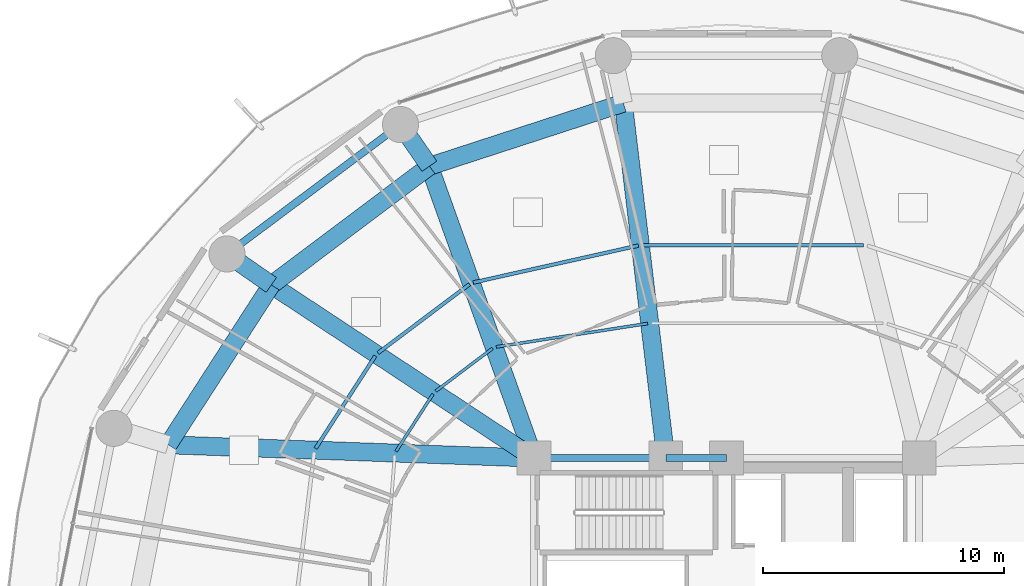
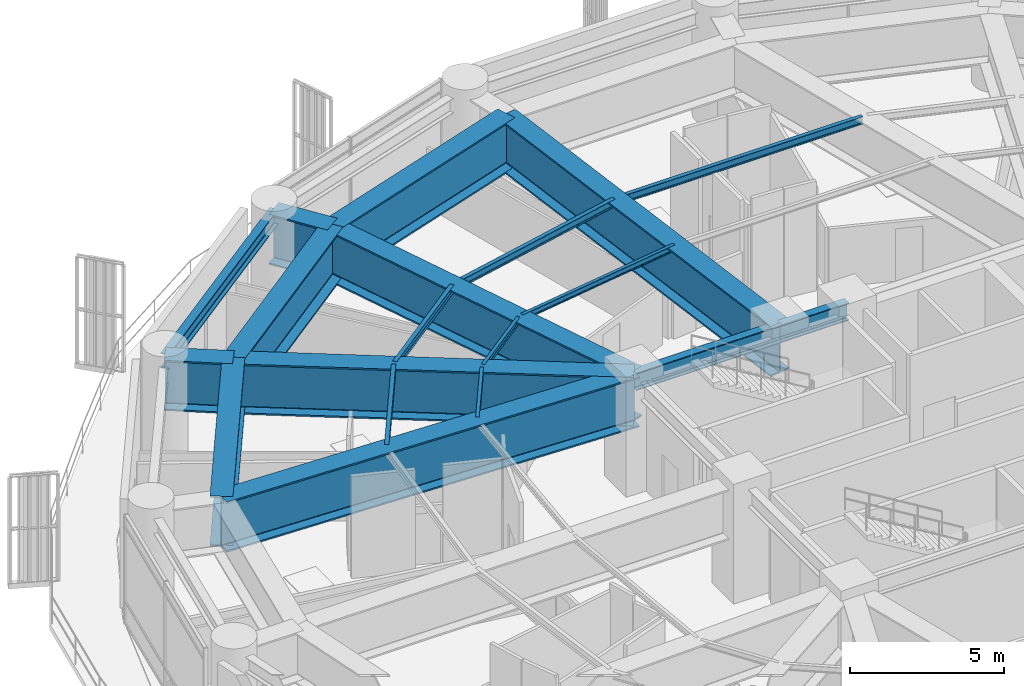
# One storey, part 15 of 31: 19 beams.
"""IFC4 building model written with IfcOpenShell, lengths in metres."""

from ifc_helpers import new_model, si_unit, direction, frame, origin, origin_2d, place, context, subcontext, project, spatial, i_section, extrude, material, material_profile, profile_set, type_object, element, save


model = new_model("IFC4")

# Units and contexts
model_context = context("Model", 3, precision=1e-05, world=origin(), true_north=direction((0.0, 1.0)))
body_context = subcontext(model_context, "Body", "Model", "MODEL_VIEW")
ifc_project = project(units=[si_unit("LENGTHUNIT", "METRE"), si_unit("AREAUNIT", "SQUARE_METRE"), si_unit("VOLUMEUNIT", "CUBIC_METRE"), si_unit("PLANEANGLEUNIT", "RADIAN"), si_unit("MASSUNIT", "GRAM", prefix="KILO")], contexts=[model_context])

# Site, building, storey
site_placement = place(None, origin())
site = spatial("IfcSite", under=ifc_project, at=site_placement, CompositionType="ELEMENT")
building_placement = place(site_placement, origin())
building = spatial("IfcBuilding", under=site, at=building_placement, Name="Kelanora Arch Commons", CompositionType="ELEMENT")
storey_placement = place(building_placement, frame((0.0, 0.0, 67.5)))
storey = spatial("IfcBuildingStorey", under=building, at=storey_placement, Name="L17", CompositionType="ELEMENT", Elevation=67.5)

# Beams
ifc_material = material(Name="Steel S355", Category="steel")
ifc_material_profile_1 = material_profile(ifc_material, i_section(OverallWidth=0.300048828125, OverallDepth=0.699951171875, WebThickness=0.01708984375, FlangeThickness=0.031982421875, FilletRadius=0.027099609375, at=origin_2d()), Name="HEB700")
ifc_profile_set_1 = profile_set([ifc_material_profile_1], Name="Steel S355")
beam_type_1 = type_object("IfcBeamType", Name="BM-CORE-HDR", PredefinedType="BEAM", material=ifc_profile_set_1)
beam_1_placement = place(storey_placement, frame((74.0, 65.0, 4.010009765625), z_axis=(-1.0, 0.0, 0.0), x_axis=(0.0, -1.0, 0.0)))
element("IfcBeam", 1, at=beam_1_placement, inside=storey, type_object=beam_type_1, Name="Core Header Beam 06 L17", PredefinedType="BEAM", context=body_context, shape_type="SweptSolid", body=[
    extrude(i_section(OverallWidth=0.300048828125, OverallDepth=0.699951171875, WebThickness=0.01708984375, FlangeThickness=0.031982421875, FilletRadius=0.027099609375, at=origin_2d()), origin(), (0.0, 0.0, 1.0), 2.52001953125),
])
beam_2_placement = place(storey_placement, frame((71.47998046875, 65.0, 4.010009765625), z_axis=(-1.0, 0.0, 0.0), x_axis=(0.0, -1.0, 0.0)))
element("IfcBeam", 2, at=beam_2_placement, inside=storey, type_object=beam_type_1, Name="Core Header Beam 07 L17", PredefinedType="BEAM", context=body_context, shape_type="SweptSolid", body=[
    extrude(i_section(OverallWidth=0.300048828125, OverallDepth=0.699951171875, WebThickness=0.01708984375, FlangeThickness=0.031982421875, FilletRadius=0.027099609375, at=origin_2d()), origin(), (0.0, 0.0, 1.0), 5.47998046875),
])
ifc_material_profile_2 = material_profile(ifc_material, i_section(OverallWidth=0.14990234375, OverallDepth=0.300048828125, WebThickness=0.007080078125, FlangeThickness=0.0107421875, FilletRadius=0.014892578125, at=origin_2d()), Name="IPE300")
ifc_profile_set_2 = profile_set([ifc_material_profile_2], Name="Steel S355")
beam_type_2 = type_object("IfcBeamType", Name="BM-JST-01", PredefinedType="JOIST", material=ifc_profile_set_2)
beam_3_placement = place(storey_placement, frame((79.686279296875, 73.8466796875, 4.2099609375), z_axis=(-1.0, 0.0, 0.0), x_axis=(0.0, -1.0, 0.0)))
element("IfcBeam", 3, at=beam_3_placement, inside=storey, type_object=beam_type_2, Name="Secondary Chord Joist BJB-08 L17", PredefinedType="JOIST", context=body_context, shape_type="SweptSolid", body=[
    extrude(i_section(OverallWidth=0.14990234375, OverallDepth=0.300048828125, WebThickness=0.007080078125, FlangeThickness=0.0107421875, FilletRadius=0.014892578125, at=origin_2d()), origin(), (0.0, 0.0, 1.0), 9.1806640625),
])
beam_4_placement = place(storey_placement, frame((70.337646484375, 73.828125, 4.2099609375), z_axis=(-0.975817048791, -0.218588854449, 0.0), x_axis=(0.218588854449, -0.975817048791, 0.0)))
element("IfcBeam", 4, at=beam_4_placement, inside=storey, type_object=beam_type_2, Name="Secondary Chord Joist BJB-10 L17", PredefinedType="JOIST", context=body_context, shape_type="SweptSolid", body=[
    extrude(i_section(OverallWidth=0.14990234375, OverallDepth=0.300048828125, WebThickness=0.007080078125, FlangeThickness=0.0107421875, FilletRadius=0.014892578125, at=origin_2d()), origin(), (0.0, 0.0, 1.0), 7.028564453125),
])
beam_5_placement = place(storey_placement, frame((63.327880859375, 72.22216796875, 4.2099609375), z_axis=(-0.79971039107, -0.600385951214, 0.0), x_axis=(0.600385951214, -0.79971039107, 0.0)))
element("IfcBeam", 5, at=beam_5_placement, inside=storey, type_object=beam_type_2, Name="Secondary Chord Joist BJB-12 L17", PredefinedType="JOIST", context=body_context, shape_type="SweptSolid", body=[
    extrude(i_section(OverallWidth=0.14990234375, OverallDepth=0.300048828125, WebThickness=0.007080078125, FlangeThickness=0.0107421875, FilletRadius=0.014892578125, at=origin_2d()), origin(), (0.0, 0.0, 1.0), 4.756103515625),
])
beam_6_placement = place(storey_placement, frame((59.410400390625, 69.244384765625, 4.2099609375), z_axis=(-0.542230243286, -0.840229946661, 0.0), x_axis=(0.840229946661, -0.542230243286, 0.0)))
element("IfcBeam", 6, at=beam_6_placement, inside=storey, type_object=beam_type_2, Name="Secondary Chord Joist BJB-14 L17", PredefinedType="JOIST", context=body_context, shape_type="SweptSolid", body=[
    extrude(i_section(OverallWidth=0.14990234375, OverallDepth=0.300048828125, WebThickness=0.007080078125, FlangeThickness=0.0107421875, FilletRadius=0.014892578125, at=origin_2d()), origin(), (0.0, 0.0, 1.0), 4.572265625),
])
ifc_material_profile_3 = material_profile(ifc_material, i_section(OverallWidth=0.1201171875, OverallDepth=0.239990234375, WebThickness=0.006103515625, FlangeThickness=0.009765625, FilletRadius=0.014892578125, at=origin_2d()), Name="IPE240")
ifc_profile_set_3 = profile_set([ifc_material_profile_3], Name="Steel S355")
beam_type_3 = type_object("IfcBeamType", Name="BM-JST-02", PredefinedType="JOIST", material=ifc_profile_set_3)
beam_7_placement = place(storey_placement, frame((70.72509765625, 70.590087890625, 4.239990234375), z_axis=(-0.988295745497, -0.152550055496, 0.0), x_axis=(0.152550055496, -0.988295745497, 0.0)))
element("IfcBeam", 7, at=beam_7_placement, inside=storey, type_object=beam_type_3, Name="Secondary Chord Joist BJA-10 L17", PredefinedType="JOIST", context=body_context, shape_type="SweptSolid", body=[
    extrude(i_section(OverallWidth=0.1201171875, OverallDepth=0.239990234375, WebThickness=0.006103515625, FlangeThickness=0.009765625, FilletRadius=0.014892578125, at=origin_2d()), origin(), (0.0, 0.0, 1.0), 6.36474609375),
])
beam_8_placement = place(storey_placement, frame((64.28271484375, 69.555419921875, 4.239990234375), z_axis=(-0.799692034361, -0.600410401458, 0.0), x_axis=(0.600410401458, -0.799692034361, 0.0)))
element("IfcBeam", 8, at=beam_8_placement, inside=storey, type_object=beam_type_3, Name="Secondary Chord Joist BJA-12 L17", PredefinedType="JOIST", context=body_context, shape_type="SweptSolid", body=[
    extrude(i_section(OverallWidth=0.1201171875, OverallDepth=0.239990234375, WebThickness=0.006103515625, FlangeThickness=0.009765625, FilletRadius=0.014892578125, at=origin_2d()), origin(), (0.0, 0.0, 1.0), 2.949951171875),
])
beam_9_placement = place(storey_placement, frame((61.8095703125, 67.661865234375, 4.239990234375), z_axis=(-0.542211255502, -0.840242199849, 0.0), x_axis=(0.840242199849, -0.542211255502, 0.0)))
element("IfcBeam", 9, at=beam_9_placement, inside=storey, type_object=beam_type_3, Name="Secondary Chord Joist BJA-14 L17", PredefinedType="JOIST", context=body_context, shape_type="SweptSolid", body=[
    extrude(i_section(OverallWidth=0.1201171875, OverallDepth=0.239990234375, WebThickness=0.006103515625, FlangeThickness=0.009765625, FilletRadius=0.014892578125, at=origin_2d()), origin(), (0.0, 0.0, 1.0), 2.83349609375),
])
ifc_material_profile_4 = material_profile(ifc_material, i_section(OverallWidth=0.300048828125, OverallDepth=0.60009765625, WebThickness=0.015380859375, FlangeThickness=0.030029296875, FilletRadius=0.027099609375, at=origin_2d()), Name="HEB600")
ifc_profile_set_4 = profile_set([ifc_material_profile_4], Name="Steel S355")
beam_type_4 = type_object("IfcBeamType", Name="BM-SPN-Z1", PredefinedType="SPANDREL", material=ifc_profile_set_4)
beam_10_placement = place(storey_placement, frame((60.4599609375, 78.85400390625, 4.06005859375), z_axis=(-0.801467504127, -0.598038326388, 0.0), x_axis=(0.598038326388, -0.801467504127, 0.0)))
element("IfcBeam", 10, at=beam_10_placement, inside=storey, type_object=beam_type_4, Name="Perimeter Spandrel Beam BS-12 L17", PredefinedType="SPANDREL", context=body_context, shape_type="SweptSolid", body=[
    extrude(i_section(OverallWidth=0.300048828125, OverallDepth=0.60009765625, WebThickness=0.015380859375, FlangeThickness=0.030029296875, FilletRadius=0.027099609375, at=origin_2d()), origin(), (0.0, 0.0, 1.0), 8.989013671875),
])
ifc_material_profile_5 = material_profile(ifc_material, i_section(OverallWidth=0.75, OverallDepth=2.0, WebThickness=0.034912109375, FlangeThickness=0.06005859375, FilletRadius=0.028076171875, at=origin_2d()), Name="PG2000x750")
ifc_profile_set_5 = profile_set([ifc_material_profile_5], Name="Steel S355")
beam_type_5 = type_object("IfcBeamType", Name="BM-XFER-SET", PredefinedType="USERDEFINED", material=ifc_profile_set_5)
beam_11_placement = place(storey_placement, frame((71.47998046875, 65.0, 3.360107421875), z_axis=(-0.118897572414, 0.992906524943, 0.0), x_axis=(-0.992906524943, -0.118897572414, 0.0)))
element("IfcBeam", 11, at=beam_11_placement, inside=storey, type_object=beam_type_5, Name="Setback Radial Transfer Girder BRI-10 L17", ObjectType="TRANSFER_GIRDER", PredefinedType="USERDEFINED", context=body_context, shape_type="SweptSolid", body=[
    extrude(i_section(OverallWidth=0.75, OverallDepth=2.0, WebThickness=0.034912109375, FlangeThickness=0.06005859375, FilletRadius=0.028076171875, at=origin_2d()), origin(), (0.0, 0.0, 1.0), 14.849853515625),
])
beam_12_placement = place(storey_placement, frame((66.0, 65.0, 3.360107421875), z_axis=(-0.337084640008, 0.941474346687, 0.0), x_axis=(-0.941474346687, -0.337084640008, 0.0)))
element("IfcBeam", 12, at=beam_12_placement, inside=storey, type_object=beam_type_5, Name="Setback Radial Transfer Girder BRI-12 L17", ObjectType="TRANSFER_GIRDER", PredefinedType="USERDEFINED", context=body_context, shape_type="SweptSolid", body=[
    extrude(i_section(OverallWidth=0.75, OverallDepth=2.0, WebThickness=0.034912109375, FlangeThickness=0.06005859375, FilletRadius=0.028076171875, at=origin_2d()), origin(), (0.0, 0.0, 1.0), 12.875244140625),
])
beam_13_placement = place(storey_placement, frame((61.659912109375, 77.121826171875, 3.360107421875), z_axis=(-0.569450942775, 0.822025318207, 0.0), x_axis=(-0.822025318207, -0.569450942775, 0.0)))
element("IfcBeam", 13, at=beam_13_placement, inside=storey, type_object=beam_type_5, Name="Radial Floor Girder BR-12 L17", ObjectType="TRANSFER_GIRDER", PredefinedType="USERDEFINED", context=body_context, shape_type="SweptSolid", body=[
    extrude(i_section(OverallWidth=0.75, OverallDepth=2.0, WebThickness=0.034912109375, FlangeThickness=0.06005859375, FilletRadius=0.028076171875, at=origin_2d()), origin(), (0.0, 0.0, 1.0), 2.107177734375),
])
beam_14_placement = place(storey_placement, frame((66.0, 65.0, 3.360107421875), z_axis=(-0.834788577908, 0.550570640512, 0.0), x_axis=(-0.550570640512, -0.834788577908, 0.0)))
element("IfcBeam", 14, at=beam_14_placement, inside=storey, type_object=beam_type_5, Name="Setback Radial Transfer Girder BRI-14 L17", ObjectType="TRANSFER_GIRDER", PredefinedType="USERDEFINED", context=body_context, shape_type="SweptSolid", body=[
    extrude(i_section(OverallWidth=0.75, OverallDepth=2.0, WebThickness=0.034912109375, FlangeThickness=0.06005859375, FilletRadius=0.028076171875, at=origin_2d()), origin(), (0.0, 0.0, 1.0), 13.064453125),
])
beam_15_placement = place(storey_placement, frame((55.093994140625, 72.19287109375, 3.360107421875), z_axis=(-0.819538590643, 0.573023994653, 0.0), x_axis=(-0.573023994653, -0.819538590643, 0.0)))
element("IfcBeam", 15, at=beam_15_placement, inside=storey, type_object=beam_type_5, Name="Radial Floor Girder BR-14 L17", ObjectType="TRANSFER_GIRDER", PredefinedType="USERDEFINED", context=body_context, shape_type="SweptSolid", body=[
    extrude(i_section(OverallWidth=0.75, OverallDepth=2.0, WebThickness=0.034912109375, FlangeThickness=0.06005859375, FilletRadius=0.028076171875, at=origin_2d()), origin(), (0.0, 0.0, 1.0), 2.2431640625),
])
beam_16_placement = place(storey_placement, frame((66.0, 65.0, 3.360107421875), z_axis=(-0.999341087625, 0.036295875581, 0.0), x_axis=(-0.036295875581, -0.999341087625, 0.0)))
element("IfcBeam", 16, at=beam_16_placement, inside=storey, type_object=beam_type_5, Name="Setback Radial Transfer Girder BRI-16 L17", ObjectType="TRANSFER_GIRDER", PredefinedType="USERDEFINED", context=body_context, shape_type="SweptSolid", body=[
    extrude(i_section(OverallWidth=0.75, OverallDepth=2.0, WebThickness=0.034912109375, FlangeThickness=0.06005859375, FilletRadius=0.028076171875, at=origin_2d()), origin(), (0.0, 0.0, 1.0), 15.20166015625),
])
beam_17_placement = place(storey_placement, frame((69.71435546875, 79.74462890625, 3.360107421875), z_axis=(-0.950856631974, -0.309631499418, 0.0), x_axis=(0.309631499418, -0.950856631974, 0.0)))
element("IfcBeam", 17, at=beam_17_placement, inside=storey, type_object=beam_type_5, Name="Setback Inner Transfer Ring BSI-10 L17", ObjectType="TRANSFER_GIRDER", PredefinedType="USERDEFINED", context=body_context, shape_type="SweptSolid", body=[
    extrude(i_section(OverallWidth=0.75, OverallDepth=2.0, WebThickness=0.034912109375, FlangeThickness=0.06005859375, FilletRadius=0.028076171875, at=origin_2d()), origin(), (0.0, 0.0, 1.0), 8.470703125),
])
beam_18_placement = place(storey_placement, frame((61.659912109375, 77.121826171875, 3.360107421875), z_axis=(-0.799735861602, -0.600352023123, 0.0), x_axis=(0.600352023123, -0.799735861602, 0.0)))
element("IfcBeam", 18, at=beam_18_placement, inside=storey, type_object=beam_type_5, Name="Setback Inner Transfer Ring BSI-12 L17", ObjectType="TRANSFER_GIRDER", PredefinedType="USERDEFINED", context=body_context, shape_type="SweptSolid", body=[
    extrude(i_section(OverallWidth=0.75, OverallDepth=2.0, WebThickness=0.034912109375, FlangeThickness=0.06005859375, FilletRadius=0.028076171875, at=origin_2d()), origin(), (0.0, 0.0, 1.0), 8.210205078125),
])
beam_19_placement = place(storey_placement, frame((55.093994140625, 72.19287109375, 3.360107421875), z_axis=(-0.542221144054, -0.840235818649, 0.0), x_axis=(0.840235818649, -0.542221144054, 0.0)))
element("IfcBeam", 19, at=beam_19_placement, inside=storey, type_object=beam_type_5, Name="Setback Inner Transfer Ring BSI-14 L17", ObjectType="TRANSFER_GIRDER", PredefinedType="USERDEFINED", context=body_context, shape_type="SweptSolid", body=[
    extrude(i_section(OverallWidth=0.75, OverallDepth=2.0, WebThickness=0.034912109375, FlangeThickness=0.06005859375, FilletRadius=0.028076171875, at=origin_2d()), origin(), (0.0, 0.0, 1.0), 7.90380859375),
])

save(model, "model.ifc")
